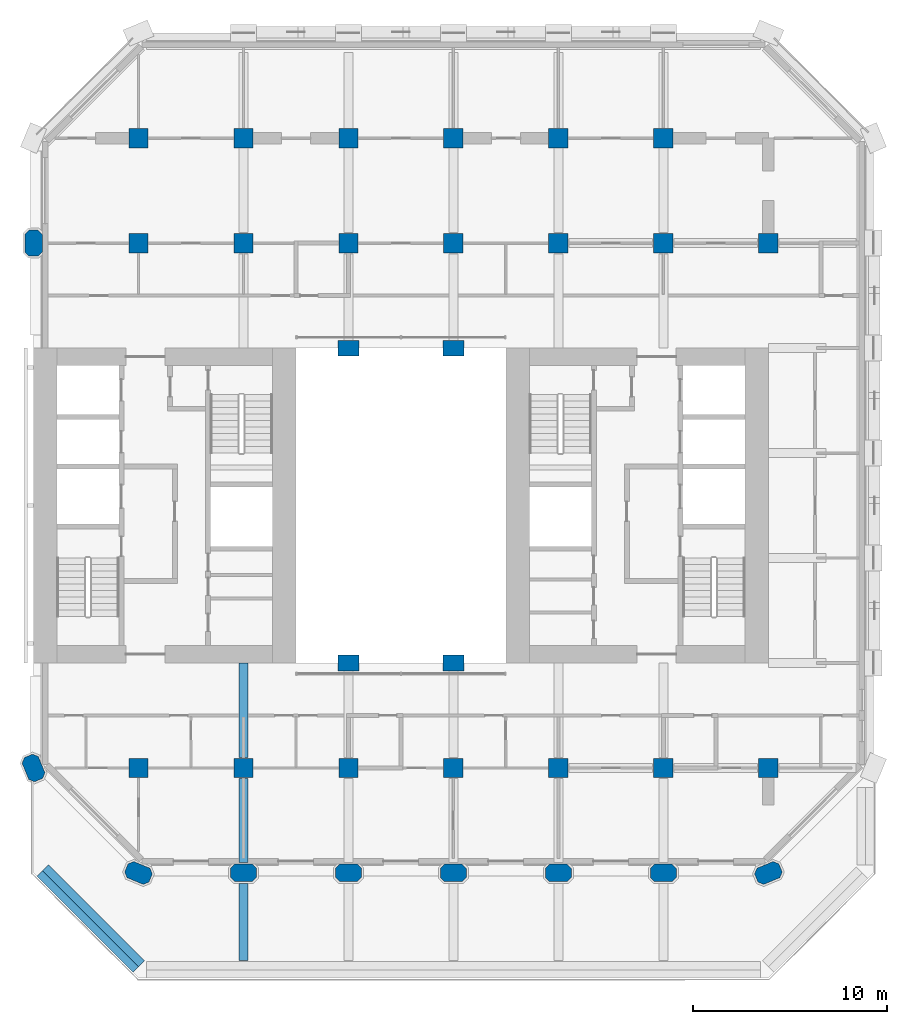
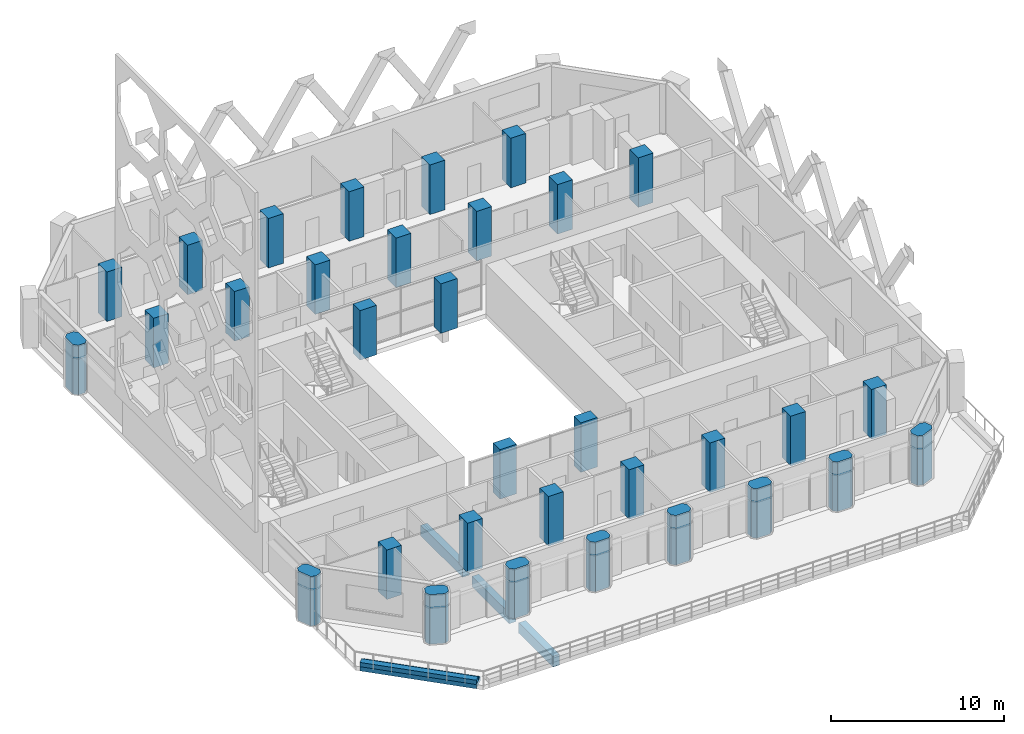
# One storey, part 1 of 16: 33 columns, 5 beams.
"""IFC4 building model written with IfcOpenShell, lengths in metres."""

from ifc_helpers import new_model, si_unit, direction, frame, origin, origin_2d, place, context, subcontext, project, spatial, polyline, rectangle, outline, extrude, material, material_profile, profile_set, type_object, element, save


model = new_model("IFC4")

# Units and contexts
model_context = context("Model", 3, precision=1e-05, world=origin(), true_north=direction((0.0, 1.0)))
body_context = subcontext(model_context, "Body", "Model", "MODEL_VIEW")
ifc_project = project(units=[si_unit("LENGTHUNIT", "METRE"), si_unit("AREAUNIT", "SQUARE_METRE"), si_unit("VOLUMEUNIT", "CUBIC_METRE"), si_unit("PLANEANGLEUNIT", "RADIAN"), si_unit("MASSUNIT", "GRAM", prefix="KILO")], contexts=[model_context])

# Site, building, storey
site_placement = place(None, origin())
site = spatial("IfcSite", under=ifc_project, at=site_placement, CompositionType="ELEMENT")
building_placement = place(site_placement, origin())
building = spatial("IfcBuilding", under=site, at=building_placement, Name="Tabaq Tower and Sports Hall", CompositionType="ELEMENT")
storey_placement = place(building_placement, frame((0.0, 0.0, 65.0)))
storey = spatial("IfcBuildingStorey", under=building, at=storey_placement, Name="L14", CompositionType="ELEMENT", Elevation=65.0)

# Columns
ifc_material_1 = material(Name="Concrete C60/75", Category="concrete")
ifc_material_profile_1 = material_profile(ifc_material_1, rectangle(XDim=1.10009765625, YDim=0.800048828125, at=origin_2d()), Name="ATRIUM COLUMN 1100x800")
ifc_profile_set_1 = profile_set([ifc_material_profile_1], Name="Concrete C60/75")
column_type_1 = type_object("IfcColumnType", Name="RC COLUMN ATRIUM COLUMN 1100x800 C60/75", PredefinedType="COLUMN", material=ifc_profile_set_1)
for number, where, z_axis, x_axis, name in (
    (1, (21.60009765625, 16.199951171875, 0.0), (0.0, 0.0, 1.0), (1.0, 0.0, 0.0), "Atrium Column 5/D L14"),
    (2, (27.0, 16.199951171875, 0.0), (0.0, 0.0, 1.0), (1.0, 0.0, 0.0), "Atrium Column 6/D L14"),
    (3, (21.60009765625, 32.39990234375, 0.0), (0.0, 0.0, 1.0), (1.0, 0.0, 0.0), "Atrium Column 5/G L14"),
    (4, (27.0, 32.39990234375, 0.0), (0.0, 0.0, 1.0), (1.0, 0.0, 0.0), "Atrium Column 6/G L14"),
):
    element("IfcColumn", number, at=place(storey_placement, frame(where, z_axis=z_axis, x_axis=x_axis)), inside=storey, type_object=column_type_1, Name=name, PredefinedType="COLUMN", context=body_context, shape_type="SweptSolid", body=[
        extrude(rectangle(XDim=1.10009765625, YDim=0.800048828125, at=origin_2d()), origin(), (0.0, 0.0, 1.0), 3.5),
    ])
ifc_material_2 = material(Name="Concrete C60/75", Category="concrete")
ifc_material_profile_2 = material_profile(ifc_material_2, rectangle(XDim=1.0, YDim=1.0, at=origin_2d()), Name="COLUMN 1000x1000")
ifc_profile_set_2 = profile_set([ifc_material_profile_2], Name="Concrete C60/75")
column_type_2 = type_object("IfcColumnType", Name="RC COLUMN COLUMN 1000x1000 C60/75", PredefinedType="COLUMN", material=ifc_profile_set_2)
for number, where, z_axis, x_axis, name in (
    (5, (10.800048828125, 10.800048828125, 0.0), (0.0, 0.0, 1.0), (1.0, 0.0, 0.0), "Column 3/C L14"),
    (6, (16.199951171875, 10.800048828125, 0.0), (0.0, 0.0, 1.0), (1.0, 0.0, 0.0), "Column 4/C L14"),
    (7, (21.60009765625, 10.800048828125, 0.0), (0.0, 0.0, 1.0), (1.0, 0.0, 0.0), "Column 5/C L14"),
    (8, (27.0, 10.800048828125, 0.0), (0.0, 0.0, 1.0), (1.0, 0.0, 0.0), "Column 6/C L14"),
    (9, (32.39990234375, 10.800048828125, 0.0), (0.0, 0.0, 1.0), (1.0, 0.0, 0.0), "Column 7/C L14"),
    (10, (37.800048828125, 10.800048828125, 0.0), (0.0, 0.0, 1.0), (1.0, 0.0, 0.0), "Column 8/C L14"),
    (11, (43.199951171875, 10.800048828125, 0.0), (0.0, 0.0, 1.0), (1.0, 0.0, 0.0), "Column 9/C L14"),
    (12, (10.800048828125, 37.800048828125, 0.0), (0.0, 0.0, 1.0), (1.0, 0.0, 0.0), "Column 3/H L14"),
    (13, (16.199951171875, 37.800048828125, 0.0), (0.0, 0.0, 1.0), (1.0, 0.0, 0.0), "Column 4/H L14"),
    (14, (21.60009765625, 37.800048828125, 0.0), (0.0, 0.0, 1.0), (1.0, 0.0, 0.0), "Column 5/H L14"),
    (15, (27.0, 37.800048828125, 0.0), (0.0, 0.0, 1.0), (1.0, 0.0, 0.0), "Column 6/H L14"),
    (16, (32.39990234375, 37.800048828125, 0.0), (0.0, 0.0, 1.0), (1.0, 0.0, 0.0), "Column 7/H L14"),
    (17, (37.800048828125, 37.800048828125, 0.0), (0.0, 0.0, 1.0), (1.0, 0.0, 0.0), "Column 8/H L14"),
    (18, (43.199951171875, 37.800048828125, 0.0), (0.0, 0.0, 1.0), (1.0, 0.0, 0.0), "Column 9/H L14"),
    (19, (10.800048828125, 43.199951171875, 0.0), (0.0, 0.0, 1.0), (1.0, 0.0, 0.0), "Column 3/I L14"),
    (20, (16.199951171875, 43.199951171875, 0.0), (0.0, 0.0, 1.0), (1.0, 0.0, 0.0), "Column 4/I L14"),
    (21, (21.60009765625, 43.199951171875, 0.0), (0.0, 0.0, 1.0), (1.0, 0.0, 0.0), "Column 5/I L14"),
    (22, (27.0, 43.199951171875, 0.0), (0.0, 0.0, 1.0), (1.0, 0.0, 0.0), "Column 6/I L14"),
    (23, (32.39990234375, 43.199951171875, 0.0), (0.0, 0.0, 1.0), (1.0, 0.0, 0.0), "Column 7/I L14"),
    (24, (37.800048828125, 43.199951171875, 0.0), (0.0, 0.0, 1.0), (1.0, 0.0, 0.0), "Column 8/I L14"),
):
    element("IfcColumn", number, at=place(storey_placement, frame(where, z_axis=z_axis, x_axis=x_axis)), inside=storey, type_object=column_type_2, Name=name, PredefinedType="COLUMN", context=body_context, shape_type="SweptSolid", body=[
        extrude(rectangle(XDim=1.0, YDim=1.0, at=origin_2d()), origin(), (0.0, 0.0, 1.0), 3.5),
    ])
ifc_material_3 = material(Name="Concrete C60/75", Category="concrete")
ifc_material_profile_3 = material_profile(ifc_material_3, outline(polyline([(-0.449951171875, -0.449951171875), (0.449951171875, -0.449951171875), (0.675048828125, -0.22509765625), (0.675048828125, 0.22509765625), (0.449951171875, 0.449951171875), (-0.449951171875, 0.449951171875), (-0.675048828125, 0.22509765625), (-0.675048828125, -0.22509765625), (-0.449951171875, -0.449951171875)])), Name="PIER 1350x900")
ifc_profile_set_3 = profile_set([ifc_material_profile_3], Name="Concrete C60/75")
column_type_3 = type_object("IfcColumnType", Name="RC COLUMN PIER 1350x900 C60/75", PredefinedType="COLUMN", material=ifc_profile_set_3)
for number, where, z_axis, x_axis, name in (
    (25, (10.800048828125, 5.39990234375, 0.0), (0.0, 0.0, 1.0), (-0.923879532511, 0.382683432365, 0.0), "Pier 3/B L14"),
    (26, (16.199951171875, 5.39990234375, 0.0), (0.0, 0.0, 1.0), (1.0, 0.0, 0.0), "Pier 4/B L14"),
    (27, (21.60009765625, 5.39990234375, 0.0), (0.0, 0.0, 1.0), (1.0, 0.0, 0.0), "Pier 5/B L14"),
    (28, (27.0, 5.39990234375, 0.0), (0.0, 0.0, 1.0), (1.0, 0.0, 0.0), "Pier 6/B L14"),
    (29, (32.39990234375, 5.39990234375, 0.0), (0.0, 0.0, 1.0), (1.0, 0.0, 0.0), "Pier 7/B L14"),
    (30, (37.800048828125, 5.39990234375, 0.0), (0.0, 0.0, 1.0), (1.0, 0.0, 0.0), "Pier 8/B L14"),
    (31, (43.199951171875, 5.39990234375, 0.0), (0.0, 0.0, 1.0), (0.923879532511, 0.382683432365, 0.0), "Pier 9/B L14"),
    (32, (5.39990234375, 10.800048828125, 0.0), (0.0, 0.0, 1.0), (-0.382683432365, 0.923879532511, 0.0), "Pier 2/C L14"),
    (33, (5.39990234375, 37.800048828125, 0.0), (0.0, 0.0, 1.0), (0.0, 1.0, 0.0), "Pier 2/H L14"),
):
    element("IfcColumn", number, at=place(storey_placement, frame(where, z_axis=z_axis, x_axis=x_axis)), inside=storey, type_object=column_type_3, Name=name, PredefinedType="COLUMN", context=body_context, shape_type="SweptSolid", body=[
        extrude(outline(polyline([(-0.449951171875, -0.449951171875), (0.449951171875, -0.449951171875), (0.675048828125, -0.22509765625), (0.675048828125, 0.22509765625), (0.449951171875, 0.449951171875), (-0.449951171875, 0.449951171875), (-0.675048828125, 0.22509765625), (-0.675048828125, -0.22509765625), (-0.449951171875, -0.449951171875)])), origin(), (0.0, 0.0, 1.0), 3.5),
    ])

# Beams
ifc_material_4 = material(Name="Concrete C40/50", Category="concrete")
ifc_material_profile_4 = material_profile(ifc_material_4, rectangle(XDim=0.449951171875, YDim=0.75, at=origin_2d()), Name="CB 450x750")
ifc_profile_set_4 = profile_set([ifc_material_profile_4], Name="Concrete C40/50")
beam_type_1 = type_object("IfcBeamType", Name="PT CANTILEVER BEAM CB 450x750 C40/50", PredefinedType="BEAM", material=ifc_profile_set_4)
beam_1_placement = place(storey_placement, frame((16.199951171875, 0.89990234375, -0.675048828125), z_axis=(0.0, 1.0, 0.0), x_axis=(-1.0, 0.0, 0.0)))
element("IfcBeam", 34, at=beam_1_placement, inside=storey, type_object=beam_type_1, Name="Cantilever Beam L14 S3 span 1", PredefinedType="BEAM", context=body_context, shape_type="SweptSolid", body=[
    extrude(rectangle(XDim=0.449951171875, YDim=0.75, at=origin_2d()), origin(), (0.0, 0.0, 1.0), 3.9501953125),
])
beam_2_placement = place(storey_placement, frame((16.199951171875, 5.949951171875, -0.675048828125), z_axis=(0.0, 1.0, 0.0), x_axis=(-1.0, 0.0, 0.0)))
element("IfcBeam", 35, at=beam_2_placement, inside=storey, type_object=beam_type_1, Name="Cantilever Beam L14 S3 span 2", PredefinedType="BEAM", context=body_context, shape_type="SweptSolid", body=[
    extrude(rectangle(XDim=0.449951171875, YDim=0.75, at=origin_2d()), origin(), (0.0, 0.0, 1.0), 4.300048828125),
])
beam_3_placement = place(storey_placement, frame((16.199951171875, 11.35009765625, -0.675048828125), z_axis=(0.0, 1.0, 0.0), x_axis=(-1.0, 0.0, 0.0)))
element("IfcBeam", 36, at=beam_3_placement, inside=storey, type_object=beam_type_1, Name="Cantilever Beam L14 S3 span 3", PredefinedType="BEAM", context=body_context, shape_type="SweptSolid", body=[
    extrude(rectangle(XDim=0.449951171875, YDim=0.75, at=origin_2d()), origin(), (0.0, 0.0, 1.0), 4.849853515625),
])
ifc_material_5 = material(Name="Concrete C40/50", Category="concrete")
ifc_material_profile_5 = material_profile(ifc_material_5, rectangle(XDim=0.85009765625, YDim=0.300048828125, at=origin_2d()), Name="EB 850x300")
ifc_profile_set_5 = profile_set([ifc_material_profile_5], Name="Concrete C40/50")
beam_type_2 = type_object("IfcBeamType", Name="PT EDGE BEAM EB 850x300 C40/50", PredefinedType="SPANDREL", material=ifc_profile_set_5)
beam_4_placement = place(storey_placement, frame((5.877197265625, 5.523681640625, -0.14990234375), z_axis=(0.707106781187, -0.707106781187, 0.0), x_axis=(0.707106781187, 0.707106781187, 0.0)))
element("IfcBeam", 37, at=beam_4_placement, inside=storey, type_object=beam_type_2, Name="Edge Beam L14 7", PredefinedType="SPANDREL", context=body_context, shape_type="SweptSolid", body=[
    extrude(rectangle(XDim=0.85009765625, YDim=0.300048828125, at=origin_2d()), origin(), (0.0, 0.0, 1.0), 6.98486328125),
])
ifc_material_6 = material(Name="Concrete C40/50", Category="concrete")
ifc_material_profile_6 = material_profile(ifc_material_6, rectangle(XDim=0.39990234375, YDim=0.300048828125, at=origin_2d()), Name="EU 400x300")
ifc_profile_set_6 = profile_set([ifc_material_profile_6], Name="Concrete C40/50")
beam_type_3 = type_object("IfcBeamType", Name="PT EDGE UPSTAND EU 400x300 C40/50", PredefinedType="BEAM", material=ifc_profile_set_6)
beam_5_placement = place(storey_placement, frame((5.71826171875, 5.36474609375, 0.14990234375), z_axis=(0.707106781187, -0.707106781187, 0.0), x_axis=(0.707106781187, 0.707106781187, 0.0)))
element("IfcBeam", 38, at=beam_5_placement, inside=storey, type_object=beam_type_3, Name="Edge Upstand L14 7", PredefinedType="BEAM", context=body_context, shape_type="SweptSolid", body=[
    extrude(rectangle(XDim=0.39990234375, YDim=0.300048828125, at=origin_2d()), origin(), (0.0, 0.0, 1.0), 6.98486328125),
])

save(model, "model.ifc")
